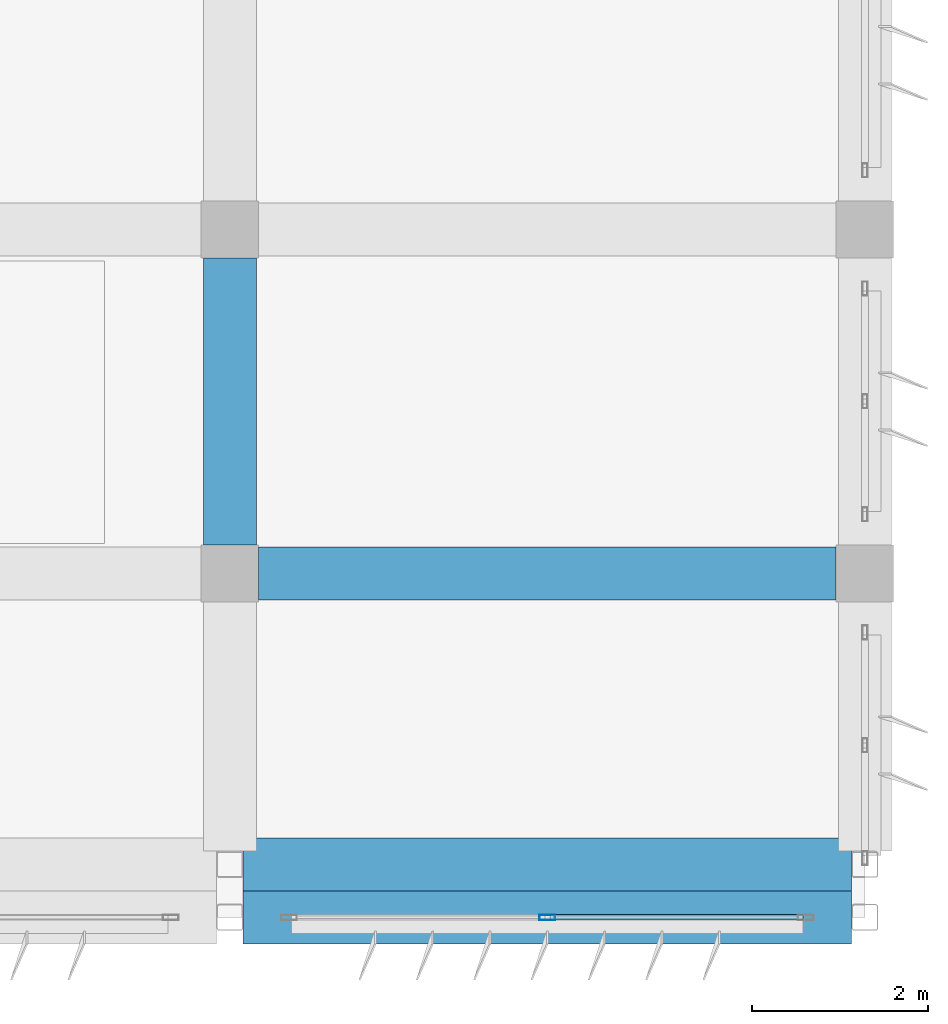
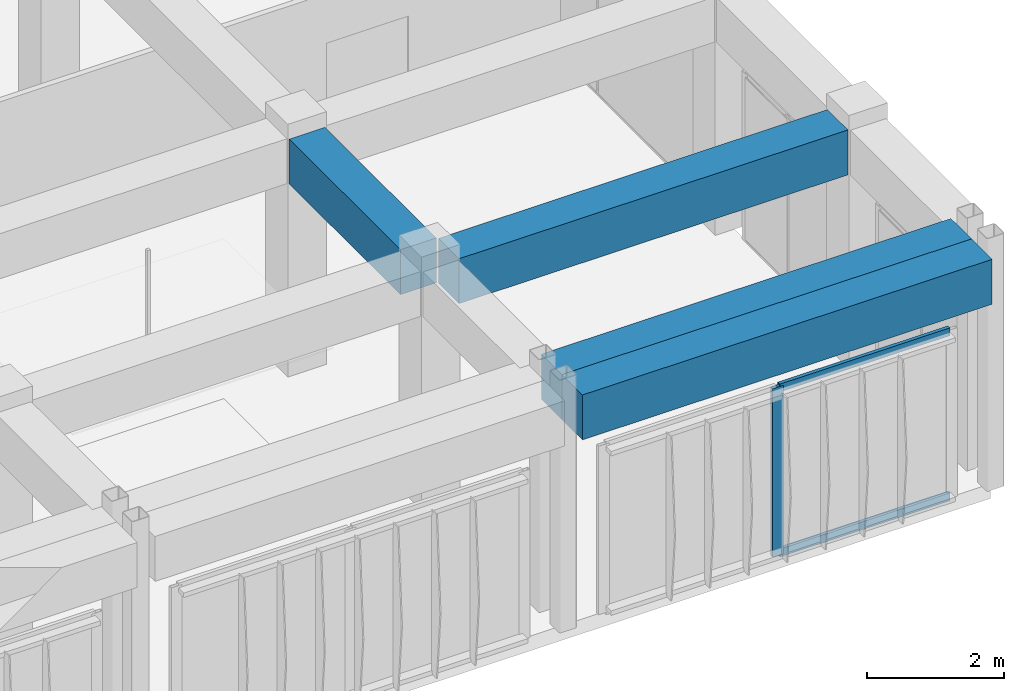
# One storey, part 22 of 56: 4 beams, 3 members, 1 element without a shape of its own.
"""IFC4 building model written with IfcOpenShell, lengths in metres."""

from ifc_helpers import new_model, si_unit, direction, frame, origin, origin_2d, place, context, subcontext, project, spatial, rectangle, hollow_rectangle, extrude, material, material_profile, profile_set, type_object, element, aggregate, save


model = new_model("IFC4")

# Units and contexts
model_context = context("Model", 3, precision=1e-05, world=origin(), true_north=direction((0.0, 1.0)))
body_context = subcontext(model_context, "Body", "Model", "MODEL_VIEW")
ifc_project = project(units=[si_unit("LENGTHUNIT", "METRE"), si_unit("AREAUNIT", "SQUARE_METRE"), si_unit("VOLUMEUNIT", "CUBIC_METRE"), si_unit("PLANEANGLEUNIT", "RADIAN"), si_unit("MASSUNIT", "GRAM", prefix="KILO")], contexts=[model_context])

# Site, building, storey
site_placement = place(None, origin())
site = spatial("IfcSite", under=ifc_project, at=site_placement, CompositionType="ELEMENT")
building_placement = place(site_placement, origin())
building = spatial("IfcBuilding", under=site, at=building_placement, Name="Kazehaya Institute of Natural Sciences", CompositionType="ELEMENT")
storey_placement = place(building_placement, frame((0.0, 0.0, 28.800048828125)))
storey = spatial("IfcBuildingStorey", under=building, at=storey_placement, Name="L06", CompositionType="ELEMENT", Elevation=28.800048828125)

# Beams
ifc_material_1 = material(Name="Concrete Fc36", Category="concrete")
ifc_material_profile_1 = material_profile(ifc_material_1, rectangle(XDim=0.60009765625, YDim=0.800048828125, at=origin_2d()), Name="RC-600x800")
ifc_profile_set_1 = profile_set([ifc_material_profile_1], Name="Concrete Fc36")
beam_type = type_object("IfcBeamType", Name="BM-G-600x800", PredefinedType="BEAM", material=ifc_profile_set_1)
for number, where, z_axis, x_axis, name in (
    (1, (112.35009765625, 6.199951171875, 3.829833984375), (1.0, 0.0, 0.0), (0.0, 1.0, 0.0), "L06 primary X girder BMX-L06-1122-62"),
    (2, (112.35009765625, 6.800048828125, 3.829833984375), (1.0, 0.0, 0.0), (0.0, 1.0, 0.0), "L06 primary X girder BMX-L06-1122-68"),
):
    element("IfcBeam", number, at=place(storey_placement, frame(where, z_axis=z_axis, x_axis=x_axis)), inside=storey, type_object=beam_type, Name=name, PredefinedType="BEAM", context=body_context, shape_type="SweptSolid", body=[
        extrude(rectangle(XDim=0.60009765625, YDim=0.800048828125, at=origin_2d()), origin(), (0.0, 0.0, 1.0), 6.89990234375),
    ])
beam_1_placement = place(storey_placement, frame((112.52490234375, 10.10009765625, 3.829833984375), z_axis=(1.0, 0.0, 0.0), x_axis=(0.0, 1.0, 0.0)))
element("IfcBeam", 3, at=beam_1_placement, inside=storey, type_object=beam_type, Name="L06 primary X girder BMX-L06-1122-101", PredefinedType="BEAM", context=body_context, shape_type="SweptSolid", body=[
    extrude(rectangle(XDim=0.60009765625, YDim=0.800048828125, at=origin_2d()), origin(), (0.0, 0.0, 1.0), 6.550048828125),
])
beam_2_placement = place(storey_placement, frame((112.199951171875, 10.425048828125, 3.829833984375), z_axis=(0.0, 1.0, 0.0), x_axis=(-1.0, 0.0, 0.0)))
element("IfcBeam", 4, at=beam_2_placement, inside=storey, type_object=beam_type, Name="L06 primary Y girder BMY-L06-1122-101", PredefinedType="BEAM", context=body_context, shape_type="SweptSolid", body=[
    extrude(rectangle(XDim=0.60009765625, YDim=0.800048828125, at=origin_2d()), origin(), (0.0, 0.0, 1.0), 3.25),
])

# Curtain wall, members
ifc_material_2 = material(Name="Aluminium alloy A6063S-T5", Category="aluminium")
curtain_wall_type = type_object("IfcCurtainWallType", Name="CW-SYS-04", PredefinedType="NOTDEFINED", material=ifc_material_2)
curtain_wall_placement = place(storey_placement, origin())
curtain_wall = element("IfcCurtainWall", 5, at=curtain_wall_placement, inside=storey, type_object=curtain_wall_type, Name="L06 unitised curtain wall CW-L06-120", PredefinedType="NOTDEFINED")
ifc_material_profile_2 = material_profile(ifc_material_2, hollow_rectangle(XDim=0.06005859375, YDim=0.179931640625, WallThickness=0.00390625, at=origin_2d()), Name="ALU-60x180x4")
ifc_profile_set_2 = profile_set([ifc_material_profile_2], Name="Aluminium alloy A6063S-T5")
member_type_1 = type_object("IfcMemberType", Name="CWM-180", PredefinedType="MULLION", material=ifc_profile_set_2)
member_1_placement = place(storey_placement, frame((115.800048828125, 6.199951171875, 0.0), z_axis=(0.0, 0.0, 1.0), x_axis=(0.0, -1.0, 0.0)))
member_1 = element("IfcMember", 6, at=member_1_placement, type_object=member_type_1, Name="CW04 mullion 2", PredefinedType="MULLION", context=body_context, shape_type="SweptSolid", body=[
    extrude(hollow_rectangle(XDim=0.06005859375, YDim=0.179931640625, WallThickness=0.00390625, at=origin_2d()), origin(), (0.0, 0.0, 1.0), 3.0),
])
ifc_material_profile_3 = material_profile(ifc_material_2, hollow_rectangle(XDim=0.06005859375, YDim=0.139892578125, WallThickness=0.00341796875, at=origin_2d()), Name="ALU-60x140x3.5")
ifc_profile_set_3 = profile_set([ifc_material_profile_3], Name="Aluminium alloy A6063S-T5")
member_type_2 = type_object("IfcMemberType", Name="CWT-140", PredefinedType="USERDEFINED", material=ifc_profile_set_3)
member_2_placement = place(storey_placement, frame((118.699951171875, 6.199951171875, 0.030029296875), z_axis=(-1.0, 0.0, 0.0), x_axis=(0.0, -1.0, 0.0)))
member_2 = element("IfcMember", 7, at=member_2_placement, type_object=member_type_2, Name="CW04 transom 1.1", ObjectType="TRANSOM", PredefinedType="USERDEFINED", context=body_context, shape_type="SweptSolid", body=[
    extrude(hollow_rectangle(XDim=0.06005859375, YDim=0.139892578125, WallThickness=0.00341796875, at=origin_2d()), origin(), (0.0, 0.0, 1.0), 2.869873046875),
])
member_3_placement = place(storey_placement, frame((118.699951171875, 6.199951171875, 2.969970703125), z_axis=(-1.0, 0.0, 0.0), x_axis=(0.0, -1.0, 0.0)))
member_3 = element("IfcMember", 8, at=member_3_placement, type_object=member_type_2, Name="CW04 transom 1.2", ObjectType="TRANSOM", PredefinedType="USERDEFINED", context=body_context, shape_type="SweptSolid", body=[
    extrude(hollow_rectangle(XDim=0.06005859375, YDim=0.139892578125, WallThickness=0.00341796875, at=origin_2d()), origin(), (0.0, 0.0, 1.0), 2.869873046875),
])
aggregate(curtain_wall, [member_1, member_2, member_3])

save(model, "model.ifc")
